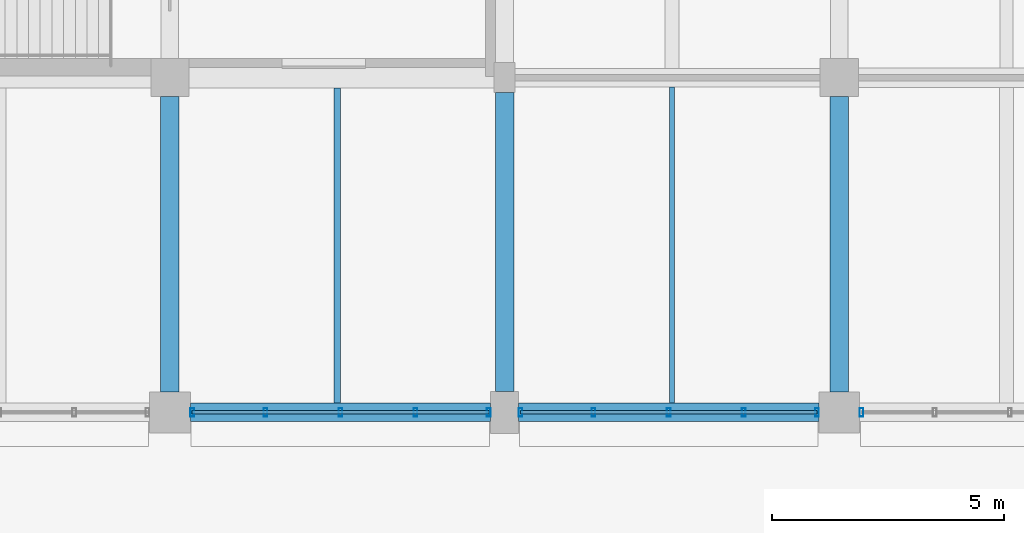
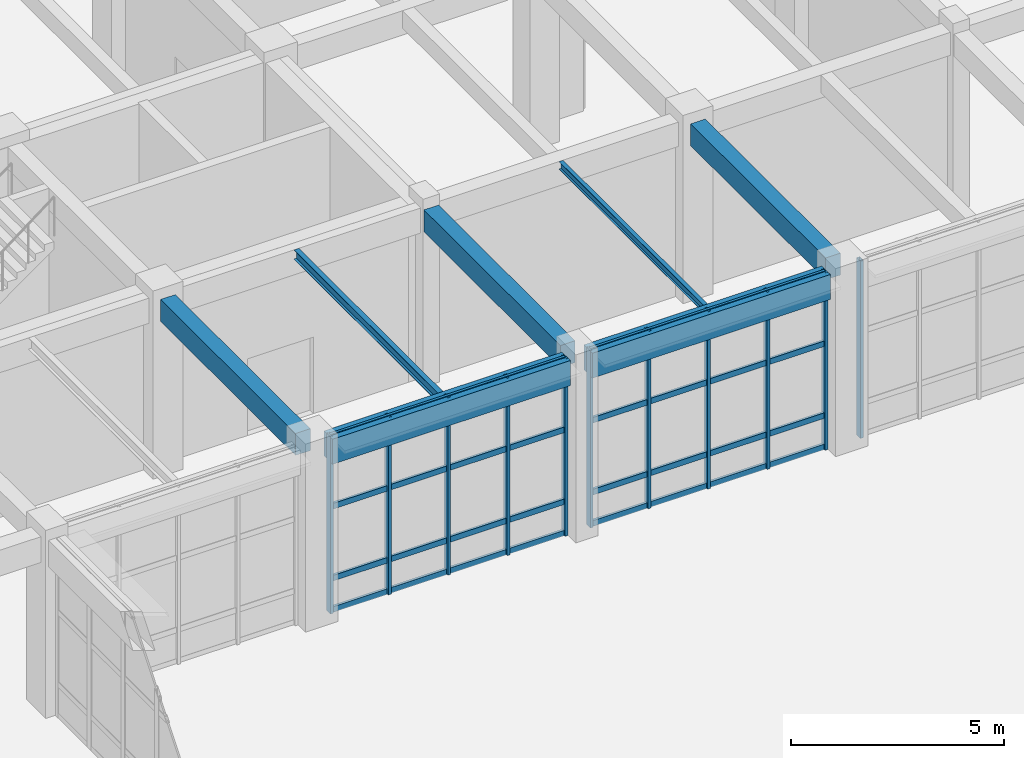
# One storey, part 60 of 160: 19 members, 7 beams, 3 elements without a shape of their own.
"""IFC4 building model written with IfcOpenShell, lengths in metres."""

from ifc_helpers import new_model, si_unit, direction, frame, origin, origin_2d, place, context, subcontext, project, spatial, rectangle, hollow_rectangle, i_section, extrude, material, material_profile, profile_set, type_object, element, aggregate, save


model = new_model("IFC4")

# Units and contexts
model_context = context("Model", 3, precision=1e-05, world=origin(), true_north=direction((0.0, 1.0)))
body_context = subcontext(model_context, "Body", "Model", "MODEL_VIEW")
ifc_project = project(units=[si_unit("LENGTHUNIT", "METRE"), si_unit("AREAUNIT", "SQUARE_METRE"), si_unit("VOLUMEUNIT", "CUBIC_METRE"), si_unit("PLANEANGLEUNIT", "RADIAN"), si_unit("MASSUNIT", "GRAM", prefix="KILO")], contexts=[model_context])

# Site, building, storey
site_placement = place(None, origin())
site = spatial("IfcSite", under=ifc_project, at=site_placement, CompositionType="ELEMENT")
building_placement = place(site_placement, origin())
building = spatial("IfcBuilding", under=site, at=building_placement, Name="Thalmaran Polytechnic", CompositionType="ELEMENT")
storey_placement = place(building_placement, origin())
storey = spatial("IfcBuildingStorey", under=building, at=storey_placement, Name="L00", CompositionType="ELEMENT", Elevation=0.0)

# Beams
ifc_material_1 = material(Name="Concrete C40/50", Category="concrete")
ifc_material_profile_1 = material_profile(ifc_material_1, rectangle(XDim=0.39990234375, YDim=0.6298828125, at=origin_2d()), Name="RC 400x630")
ifc_profile_set_1 = profile_set([ifc_material_profile_1], Name="Concrete C40/50")
beam_type_1 = type_object("IfcBeamType", Name="BM-RC07", PredefinedType="BEAM", material=ifc_profile_set_1)
beam_1_placement = place(storey_placement, frame((28.800048828125, 94.0400390625, 4.77490234375), z_axis=(0.0, 1.0, 0.0), x_axis=(-1.0, 0.0, 0.0)))
element("IfcBeam", 1, at=beam_1_placement, inside=storey, type_object=beam_type_1, Name="Grid Beam B07 L00 Y(4,13)", PredefinedType="BEAM", context=body_context, shape_type="SweptSolid", body=[
    extrude(rectangle(XDim=0.39990234375, YDim=0.6298828125, at=origin_2d()), origin(), (0.0, 0.0, 1.0), 6.349853515625),
])
beam_2_placement = place(storey_placement, frame((36.0, 94.050048828125, 4.77490234375), z_axis=(0.0, 1.0, 0.0), x_axis=(-1.0, 0.0, 0.0)))
element("IfcBeam", 2, at=beam_2_placement, inside=storey, type_object=beam_type_1, Name="Grid Beam B07 L00 Y(5,13)", PredefinedType="BEAM", context=body_context, shape_type="SweptSolid", body=[
    extrude(rectangle(XDim=0.39990234375, YDim=0.6298828125, at=origin_2d()), origin(), (0.0, 0.0, 1.0), 6.425048828125),
])
beam_3_placement = place(storey_placement, frame((43.199951171875, 94.0400390625, 4.77490234375), z_axis=(0.0, 1.0, 0.0), x_axis=(-1.0, 0.0, 0.0)))
element("IfcBeam", 3, at=beam_3_placement, inside=storey, type_object=beam_type_1, Name="Grid Beam B07 L00 Y(6,13)", PredefinedType="BEAM", context=body_context, shape_type="SweptSolid", body=[
    extrude(rectangle(XDim=0.39990234375, YDim=0.6298828125, at=origin_2d()), origin(), (0.0, 0.0, 1.0), 6.349853515625),
])
ifc_material_2 = material(Name="Steel S355", Category="steel")
ifc_material_profile_2 = material_profile(ifc_material_2, i_section(OverallWidth=0.135009765625, OverallDepth=0.27001953125, WebThickness=0.006591796875, FlangeThickness=0.01025390625, at=origin_2d()), Name="IPE 270")
ifc_profile_set_2 = profile_set([ifc_material_profile_2], Name="Steel S355")
beam_type_2 = type_object("IfcBeamType", Name="BM-SJ03", PredefinedType="JOIST", material=ifc_profile_set_2)
beam_4_placement = place(storey_placement, frame((32.39990234375, 93.800048828125, 4.955078125), z_axis=(0.0, 1.0, 0.0), x_axis=(-1.0, 0.0, 0.0)))
element("IfcBeam", 4, at=beam_4_placement, inside=storey, type_object=beam_type_2, Name="Secondary Floor Rib SJ03 L00 (4,13)", PredefinedType="JOIST", context=body_context, shape_type="SweptSolid", body=[
    extrude(i_section(OverallWidth=0.135009765625, OverallDepth=0.27001953125, WebThickness=0.006591796875, FlangeThickness=0.01025390625, at=origin_2d()), origin(), (0.0, 0.0, 1.0), 6.780029296875),
])
ifc_material_profile_3 = material_profile(ifc_material_2, i_section(OverallWidth=0.110107421875, OverallDepth=0.219970703125, WebThickness=0.005859375, FlangeThickness=0.00927734375, at=origin_2d()), Name="IPE 220")
ifc_profile_set_3 = profile_set([ifc_material_profile_3], Name="Steel S355")
beam_type_3 = type_object("IfcBeamType", Name="BM-SJ04", PredefinedType="JOIST", material=ifc_profile_set_3)
beam_5_placement = place(storey_placement, frame((39.60009765625, 93.800048828125, 4.97998046875), z_axis=(0.0, 1.0, 0.0), x_axis=(-1.0, 0.0, 0.0)))
element("IfcBeam", 5, at=beam_5_placement, inside=storey, type_object=beam_type_3, Name="Secondary Floor Rib SJ04 L00 (5,13)", PredefinedType="JOIST", context=body_context, shape_type="SweptSolid", body=[
    extrude(i_section(OverallWidth=0.110107421875, OverallDepth=0.219970703125, WebThickness=0.005859375, FlangeThickness=0.00927734375, at=origin_2d()), origin(), (0.0, 0.0, 1.0), 6.800048828125),
])
ifc_material_profile_4 = material_profile(ifc_material_1, rectangle(XDim=0.39990234375, YDim=0.719970703125, at=origin_2d()), Name="RC 400x720")
ifc_profile_set_4 = profile_set([ifc_material_profile_4], Name="Concrete C40/50")
beam_type_4 = type_object("IfcBeamType", Name="BM-SP01", PredefinedType="SPANDREL", material=ifc_profile_set_4)
for number, where, z_axis, x_axis, name in (
    (6, (29.239990234375, 93.60009765625, 4.72998046875), (1.0, 0.0, 0.0), (0.0, 1.0, 0.0), "Grid Beam SP01 L00 X(4,13)"),
    (7, (36.300048828125, 93.60009765625, 4.72998046875), (1.0, 0.0, 0.0), (0.0, 1.0, 0.0), "Grid Beam SP01 L00 X(5,13)"),
):
    element("IfcBeam", number, at=place(storey_placement, frame(where, z_axis=z_axis, x_axis=x_axis)), inside=storey, type_object=beam_type_4, Name=name, PredefinedType="SPANDREL", context=body_context, shape_type="SweptSolid", body=[
        extrude(rectangle(XDim=0.39990234375, YDim=0.719970703125, at=origin_2d()), origin(), (0.0, 0.0, 1.0), 6.4599609375),
    ])

# Curtain wall, member
ifc_material_3 = material(Name="Aluminium 6063-T6", Category="aluminium")
curtain_wall_type = type_object("IfcCurtainWallType", Name="CW-UC01", PredefinedType="USERDEFINED", material=ifc_material_3)
curtain_wall_1_placement = place(storey_placement, origin())
curtain_wall_1 = element("IfcCurtainWall", 8, at=curtain_wall_1_placement, inside=storey, type_object=curtain_wall_type, Name="Curtain Wall CW-L00-019", ObjectType="UNITISED CURTAIN WALL", PredefinedType="USERDEFINED")
ifc_material_profile_5 = material_profile(ifc_material_3, hollow_rectangle(XDim=0.080078125, YDim=0.179931640625, WallThickness=0.0048828125, at=origin_2d()), Name="RHS 180x80x5.0")
ifc_profile_set_5 = profile_set([ifc_material_profile_5], Name="Aluminium 6063-T6")
member_type_1 = type_object("IfcMemberType", Name="CW-MUL1", PredefinedType="MULLION", material=ifc_profile_set_5)
member_1_placement = place(storey_placement, frame((43.679931640625, 93.60009765625, 0.0), z_axis=(0.0, 0.0, 1.0), x_axis=(1.0, 0.0, 0.0)))
member_1 = element("IfcMember", 9, at=member_1_placement, type_object=member_type_1, Name="CW-L00-019 Mullion 5", PredefinedType="MULLION", context=body_context, shape_type="SweptSolid", body=[
    extrude(hollow_rectangle(XDim=0.080078125, YDim=0.179931640625, WallThickness=0.0048828125, at=origin_2d()), origin(), (0.0, 0.0, 1.0), 5.090087890625),
])
aggregate(curtain_wall_1, [member_1])

# Curtain wall, members
curtain_wall_2_placement = place(storey_placement, origin())
curtain_wall_2 = element("IfcCurtainWall", 10, at=curtain_wall_2_placement, inside=storey, type_object=curtain_wall_type, Name="Curtain Wall CW-L00-020", ObjectType="UNITISED CURTAIN WALL", PredefinedType="USERDEFINED")
member_2_placement = place(storey_placement, frame((42.719970703125, 93.60009765625, 0.0), z_axis=(0.0, 0.0, 1.0), x_axis=(1.0, 0.0, 0.0)))
member_2 = element("IfcMember", 11, at=member_2_placement, type_object=member_type_1, Name="CW-L00-020 Mullion 1", PredefinedType="MULLION", context=body_context, shape_type="SweptSolid", body=[
    extrude(hollow_rectangle(XDim=0.080078125, YDim=0.179931640625, WallThickness=0.0048828125, at=origin_2d()), origin(), (0.0, 0.0, 1.0), 5.090087890625),
])
member_3_placement = place(storey_placement, frame((41.14501953125, 93.60009765625, 0.0), z_axis=(0.0, 0.0, 1.0), x_axis=(1.0, 0.0, 0.0)))
member_3 = element("IfcMember", 12, at=member_3_placement, type_object=member_type_1, Name="CW-L00-020 Mullion 2", PredefinedType="MULLION", context=body_context, shape_type="SweptSolid", body=[
    extrude(hollow_rectangle(XDim=0.080078125, YDim=0.179931640625, WallThickness=0.0048828125, at=origin_2d()), origin(), (0.0, 0.0, 1.0), 5.090087890625),
])
member_4_placement = place(storey_placement, frame((39.530029296875, 93.60009765625, 0.0), z_axis=(0.0, 0.0, 1.0), x_axis=(1.0, 0.0, 0.0)))
member_4 = element("IfcMember", 13, at=member_4_placement, type_object=member_type_1, Name="CW-L00-020 Mullion 3", PredefinedType="MULLION", context=body_context, shape_type="SweptSolid", body=[
    extrude(hollow_rectangle(XDim=0.080078125, YDim=0.179931640625, WallThickness=0.0048828125, at=origin_2d()), origin(), (0.0, 0.0, 1.0), 5.090087890625),
])
member_5_placement = place(storey_placement, frame((37.9150390625, 93.60009765625, 0.0), z_axis=(0.0, 0.0, 1.0), x_axis=(1.0, 0.0, 0.0)))
member_5 = element("IfcMember", 14, at=member_5_placement, type_object=member_type_1, Name="CW-L00-020 Mullion 4", PredefinedType="MULLION", context=body_context, shape_type="SweptSolid", body=[
    extrude(hollow_rectangle(XDim=0.080078125, YDim=0.179931640625, WallThickness=0.0048828125, at=origin_2d()), origin(), (0.0, 0.0, 1.0), 5.090087890625),
])
member_6_placement = place(storey_placement, frame((36.340087890625, 93.60009765625, 0.0), z_axis=(0.0, 0.0, 1.0), x_axis=(1.0, 0.0, 0.0)))
member_6 = element("IfcMember", 15, at=member_6_placement, type_object=member_type_1, Name="CW-L00-020 Mullion 5", PredefinedType="MULLION", context=body_context, shape_type="SweptSolid", body=[
    extrude(hollow_rectangle(XDim=0.080078125, YDim=0.179931640625, WallThickness=0.0048828125, at=origin_2d()), origin(), (0.0, 0.0, 1.0), 5.090087890625),
])

curtain_wall_3_placement = place(storey_placement, origin())
curtain_wall_3 = element("IfcCurtainWall", 16, at=curtain_wall_3_placement, inside=storey, type_object=curtain_wall_type, Name="Curtain Wall CW-L00-021", ObjectType="UNITISED CURTAIN WALL", PredefinedType="USERDEFINED")
member_7_placement = place(storey_placement, frame((35.659912109375, 93.60009765625, 0.0), z_axis=(0.0, 0.0, 1.0), x_axis=(1.0, 0.0, 0.0)))
member_7 = element("IfcMember", 17, at=member_7_placement, type_object=member_type_1, Name="CW-L00-021 Mullion 1", PredefinedType="MULLION", context=body_context, shape_type="SweptSolid", body=[
    extrude(hollow_rectangle(XDim=0.080078125, YDim=0.179931640625, WallThickness=0.0048828125, at=origin_2d()), origin(), (0.0, 0.0, 1.0), 5.090087890625),
])
member_8_placement = place(storey_placement, frame((34.0849609375, 93.60009765625, 0.0), z_axis=(0.0, 0.0, 1.0), x_axis=(1.0, 0.0, 0.0)))
member_8 = element("IfcMember", 18, at=member_8_placement, type_object=member_type_1, Name="CW-L00-021 Mullion 2", PredefinedType="MULLION", context=body_context, shape_type="SweptSolid", body=[
    extrude(hollow_rectangle(XDim=0.080078125, YDim=0.179931640625, WallThickness=0.0048828125, at=origin_2d()), origin(), (0.0, 0.0, 1.0), 5.090087890625),
])
member_9_placement = place(storey_placement, frame((32.469970703125, 93.60009765625, 0.0), z_axis=(0.0, 0.0, 1.0), x_axis=(1.0, 0.0, 0.0)))
member_9 = element("IfcMember", 19, at=member_9_placement, type_object=member_type_1, Name="CW-L00-021 Mullion 3", PredefinedType="MULLION", context=body_context, shape_type="SweptSolid", body=[
    extrude(hollow_rectangle(XDim=0.080078125, YDim=0.179931640625, WallThickness=0.0048828125, at=origin_2d()), origin(), (0.0, 0.0, 1.0), 5.090087890625),
])
member_10_placement = place(storey_placement, frame((30.85498046875, 93.60009765625, 0.0), z_axis=(0.0, 0.0, 1.0), x_axis=(1.0, 0.0, 0.0)))
member_10 = element("IfcMember", 20, at=member_10_placement, type_object=member_type_1, Name="CW-L00-021 Mullion 4", PredefinedType="MULLION", context=body_context, shape_type="SweptSolid", body=[
    extrude(hollow_rectangle(XDim=0.080078125, YDim=0.179931640625, WallThickness=0.0048828125, at=origin_2d()), origin(), (0.0, 0.0, 1.0), 5.090087890625),
])
member_11_placement = place(storey_placement, frame((29.280029296875, 93.60009765625, 0.0), z_axis=(0.0, 0.0, 1.0), x_axis=(1.0, 0.0, 0.0)))
member_11 = element("IfcMember", 21, at=member_11_placement, type_object=member_type_1, Name="CW-L00-021 Mullion 5", PredefinedType="MULLION", context=body_context, shape_type="SweptSolid", body=[
    extrude(hollow_rectangle(XDim=0.080078125, YDim=0.179931640625, WallThickness=0.0048828125, at=origin_2d()), origin(), (0.0, 0.0, 1.0), 5.090087890625),
])

# Member
ifc_material_profile_6 = material_profile(ifc_material_3, hollow_rectangle(XDim=0.070068359375, YDim=0.159912109375, WallThickness=0.00390625, at=origin_2d()), Name="AL 160x70x4.0")
ifc_profile_set_6 = profile_set([ifc_material_profile_6], Name="Aluminium 6063-T6")
member_type_2 = type_object("IfcMemberType", Name="CW-TRN1", PredefinedType="USERDEFINED", material=ifc_profile_set_6)
member_12_placement = place(storey_placement, frame((42.719970703125, 93.60009765625, 0.06005859375), z_axis=(-1.0, 0.0, 0.0), x_axis=(0.0, -1.0, 0.0)))
member_12 = element("IfcMember", 22, at=member_12_placement, type_object=member_type_2, Name="CW-L00-020 Transom 1", ObjectType="TRANSOM", PredefinedType="USERDEFINED", context=body_context, shape_type="SweptSolid", body=[
    extrude(hollow_rectangle(XDim=0.070068359375, YDim=0.159912109375, WallThickness=0.00390625, at=origin_2d()), origin(), (0.0, 0.0, 1.0), 6.3798828125),
])

member_13_placement = place(storey_placement, frame((42.719970703125, 93.60009765625, 0.9599609375), z_axis=(-1.0, 0.0, 0.0), x_axis=(0.0, -1.0, 0.0)))
member_13 = element("IfcMember", 23, at=member_13_placement, type_object=member_type_2, Name="CW-L00-020 Transom 2", ObjectType="TRANSOM", PredefinedType="USERDEFINED", context=body_context, shape_type="SweptSolid", body=[
    extrude(hollow_rectangle(XDim=0.070068359375, YDim=0.159912109375, WallThickness=0.00390625, at=origin_2d()), origin(), (0.0, 0.0, 1.0), 6.3798828125),
])

member_14_placement = place(storey_placement, frame((42.719970703125, 93.60009765625, 3.02490234375), z_axis=(-1.0, 0.0, 0.0), x_axis=(0.0, -1.0, 0.0)))
member_14 = element("IfcMember", 24, at=member_14_placement, type_object=member_type_2, Name="CW-L00-020 Transom 3", ObjectType="TRANSOM", PredefinedType="USERDEFINED", context=body_context, shape_type="SweptSolid", body=[
    extrude(hollow_rectangle(XDim=0.070068359375, YDim=0.159912109375, WallThickness=0.00390625, at=origin_2d()), origin(), (0.0, 0.0, 1.0), 6.3798828125),
])

member_15_placement = place(storey_placement, frame((42.719970703125, 93.60009765625, 5.030029296875), z_axis=(-1.0, 0.0, 0.0), x_axis=(0.0, -1.0, 0.0)))
member_15 = element("IfcMember", 25, at=member_15_placement, type_object=member_type_2, Name="CW-L00-020 Transom 4", ObjectType="TRANSOM", PredefinedType="USERDEFINED", context=body_context, shape_type="SweptSolid", body=[
    extrude(hollow_rectangle(XDim=0.070068359375, YDim=0.159912109375, WallThickness=0.00390625, at=origin_2d()), origin(), (0.0, 0.0, 1.0), 6.3798828125),
])

aggregate(curtain_wall_2, [member_2, member_3, member_4, member_5, member_6, member_12, member_13, member_14, member_15])

member_16_placement = place(storey_placement, frame((35.659912109375, 93.60009765625, 0.06005859375), z_axis=(-1.0, 0.0, 0.0), x_axis=(0.0, -1.0, 0.0)))
member_16 = element("IfcMember", 26, at=member_16_placement, type_object=member_type_2, Name="CW-L00-021 Transom 1", ObjectType="TRANSOM", PredefinedType="USERDEFINED", context=body_context, shape_type="SweptSolid", body=[
    extrude(hollow_rectangle(XDim=0.070068359375, YDim=0.159912109375, WallThickness=0.00390625, at=origin_2d()), origin(), (0.0, 0.0, 1.0), 6.3798828125),
])

member_17_placement = place(storey_placement, frame((35.659912109375, 93.60009765625, 0.9599609375), z_axis=(-1.0, 0.0, 0.0), x_axis=(0.0, -1.0, 0.0)))
member_17 = element("IfcMember", 27, at=member_17_placement, type_object=member_type_2, Name="CW-L00-021 Transom 2", ObjectType="TRANSOM", PredefinedType="USERDEFINED", context=body_context, shape_type="SweptSolid", body=[
    extrude(hollow_rectangle(XDim=0.070068359375, YDim=0.159912109375, WallThickness=0.00390625, at=origin_2d()), origin(), (0.0, 0.0, 1.0), 6.3798828125),
])

member_18_placement = place(storey_placement, frame((35.659912109375, 93.60009765625, 3.02490234375), z_axis=(-1.0, 0.0, 0.0), x_axis=(0.0, -1.0, 0.0)))
member_18 = element("IfcMember", 28, at=member_18_placement, type_object=member_type_2, Name="CW-L00-021 Transom 3", ObjectType="TRANSOM", PredefinedType="USERDEFINED", context=body_context, shape_type="SweptSolid", body=[
    extrude(hollow_rectangle(XDim=0.070068359375, YDim=0.159912109375, WallThickness=0.00390625, at=origin_2d()), origin(), (0.0, 0.0, 1.0), 6.3798828125),
])

member_19_placement = place(storey_placement, frame((35.659912109375, 93.60009765625, 5.030029296875), z_axis=(-1.0, 0.0, 0.0), x_axis=(0.0, -1.0, 0.0)))
member_19 = element("IfcMember", 29, at=member_19_placement, type_object=member_type_2, Name="CW-L00-021 Transom 4", ObjectType="TRANSOM", PredefinedType="USERDEFINED", context=body_context, shape_type="SweptSolid", body=[
    extrude(hollow_rectangle(XDim=0.070068359375, YDim=0.159912109375, WallThickness=0.00390625, at=origin_2d()), origin(), (0.0, 0.0, 1.0), 6.3798828125),
])

aggregate(curtain_wall_3, [member_7, member_8, member_9, member_10, member_11, member_16, member_17, member_18, member_19])

save(model, "model.ifc")
